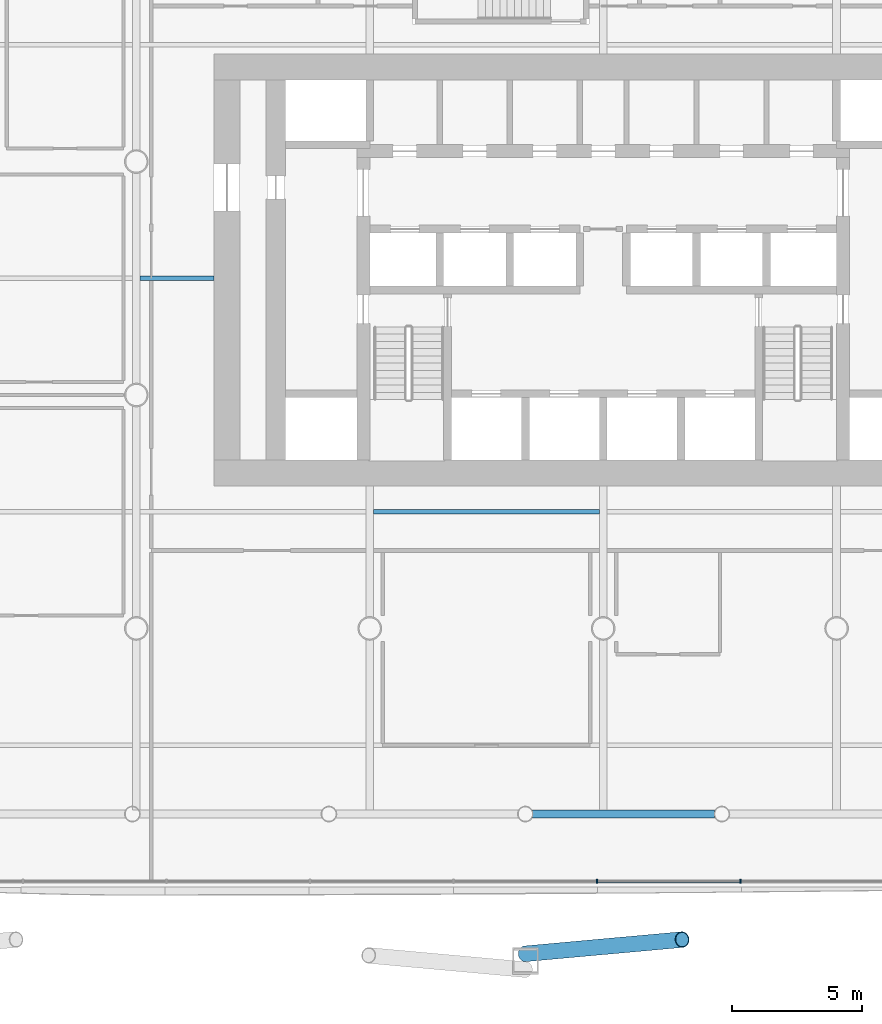
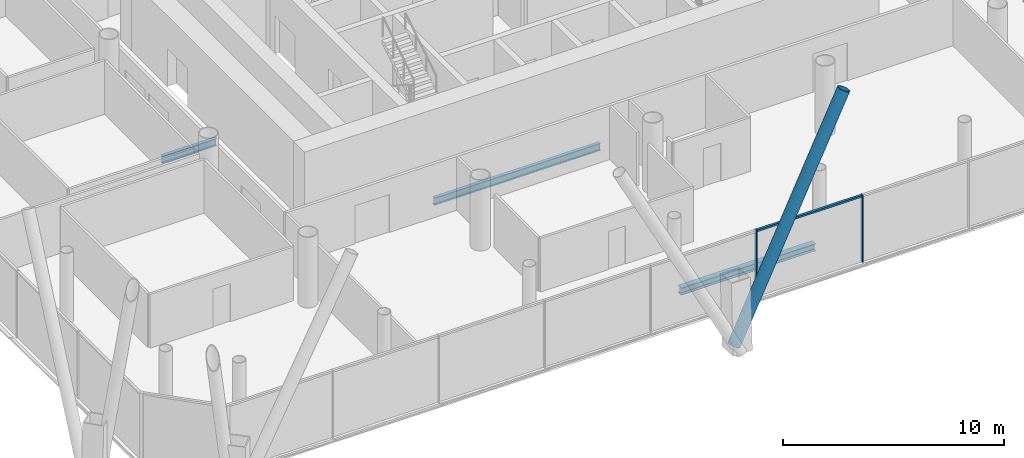
# One storey, part 6 of 25: 4 members, 3 beams, 1 element without a shape of its own.
"""IFC4 building model written with IfcOpenShell, lengths in metres."""

from ifc_helpers import new_model, si_unit, direction, frame, origin, origin_2d, place, context, subcontext, project, spatial, rectangle, hollow_circle, i_section, extrude, material, material_profile, profile_set, type_object, element, aggregate, save


model = new_model("IFC4")

# Units and contexts
model_context = context("Model", 3, precision=1e-05, world=origin(), true_north=direction((0.0, 1.0)))
body_context = subcontext(model_context, "Body", "Model", "MODEL_VIEW")
ifc_project = project(units=[si_unit("LENGTHUNIT", "METRE"), si_unit("AREAUNIT", "SQUARE_METRE"), si_unit("VOLUMEUNIT", "CUBIC_METRE"), si_unit("PLANEANGLEUNIT", "RADIAN"), si_unit("MASSUNIT", "GRAM", prefix="KILO")], contexts=[model_context])

# Site, building, storey
site_placement = place(None, origin())
site = spatial("IfcSite", under=ifc_project, at=site_placement, CompositionType="ELEMENT")
building_placement = place(site_placement, origin())
building = spatial("IfcBuilding", under=site, at=building_placement, Name="Tskaro Facet Tower", CompositionType="ELEMENT")
storey_placement = place(building_placement, frame((0.0, 0.0, 10.800048828125)))
storey = spatial("IfcBuildingStorey", under=building, at=storey_placement, Name="L01", CompositionType="ELEMENT", Elevation=10.800048828125)

# Member
ifc_material_1 = material(Name="Steel S355J2H", Category="steel")
ifc_material_profile_1 = material_profile(ifc_material_1, hollow_circle(Radius=0.304931640625, WallThickness=0.030029296875, at=origin_2d()), Name="CHS 610x30")
ifc_profile_set_1 = profile_set([ifc_material_profile_1], Name="Steel S355J2H")
member_type_1 = type_object("IfcMemberType", Name="CHS 610x30 brace", PredefinedType="BRACE", material=ifc_profile_set_1)
member_1_placement = place(storey_placement, frame((-3.0, -30.544921875, 0.0), z_axis=(0.458620557373, 0.041546280702, 0.887660459249), x_axis=(-0.090220221622, 0.995921840111, 0.0)))
element("IfcMember", 1, at=member_1_placement, inside=storey, type_object=member_type_1, Name="CHS 610x30 XB02A/1", PredefinedType="BRACE", context=body_context, shape_type="SweptSolid", body=[
    extrude(hollow_circle(Radius=0.304931640625, WallThickness=0.030029296875, at=origin_2d()), origin(), (0.0, 0.0, 1.0), 13.1806640625),
])

# Curtain wall, members
ifc_material_2 = material(Name="Bronze anodised aluminium 6063-T6", Category="aluminium")
curtain_wall_type = type_object("IfcCurtainWallType", Name="Bronze office curtain wall (FW1)", PredefinedType="NOTDEFINED", material=ifc_material_2)
curtain_wall_placement = place(storey_placement, origin())
curtain_wall = element("IfcCurtainWall", 2, at=curtain_wall_placement, inside=storey, type_object=curtain_wall_type, Name="FW1 south facet L01", PredefinedType="NOTDEFINED")
ifc_material_profile_2 = material_profile(ifc_material_2, rectangle(XDim=0.06005859375, YDim=0.159912109375, at=origin_2d()), Name="Mullion 60x160")
ifc_profile_set_2 = profile_set([ifc_material_profile_2], Name="Bronze anodised aluminium 6063-T6")
member_type_2 = type_object("IfcMemberType", Name="FW1 bronze mullion 60x160", PredefinedType="MULLION", material=ifc_profile_set_2)
member_2_placement = place(storey_placement, frame((-0.23388671875, -27.75, 0.0), z_axis=(0.0, 0.0, 1.0), x_axis=(1.0, 0.0, 0.0)))
member_2 = element("IfcMember", 3, at=member_2_placement, type_object=member_type_2, Name="FW1 south mullion 5", PredefinedType="MULLION", context=body_context, shape_type="SweptSolid", body=[
    extrude(rectangle(XDim=0.06005859375, YDim=0.159912109375, at=origin_2d()), origin(), (0.0, 0.0, 1.0), 3.699951171875),
])
member_3_placement = place(storey_placement, frame((5.298583984375, -27.75, 0.0), z_axis=(0.0, 0.0, 1.0), x_axis=(1.0, 0.0, 0.0)))
member_3 = element("IfcMember", 4, at=member_3_placement, type_object=member_type_2, Name="FW1 south mullion 6", PredefinedType="MULLION", context=body_context, shape_type="SweptSolid", body=[
    extrude(rectangle(XDim=0.06005859375, YDim=0.159912109375, at=origin_2d()), origin(), (0.0, 0.0, 1.0), 3.699951171875),
])
ifc_material_profile_3 = material_profile(ifc_material_2, rectangle(XDim=0.1201171875, YDim=0.10009765625, at=origin_2d()), Name="Transom 120x100")
ifc_profile_set_3 = profile_set([ifc_material_profile_3], Name="Bronze anodised aluminium 6063-T6")
member_type_3 = type_object("IfcMemberType", Name="FW1 bronze transom 120x100", PredefinedType="USERDEFINED", material=ifc_profile_set_3)
member_4_placement = place(storey_placement, frame((-0.203857421875, -27.75, 3.64990234375), z_axis=(1.0, 0.0, 0.0), x_axis=(0.0, 1.0, 0.0)))
member_4 = element("IfcMember", 5, at=member_4_placement, type_object=member_type_3, Name="FW1 south transom 6.1", ObjectType="TRANSOM", PredefinedType="USERDEFINED", context=body_context, shape_type="SweptSolid", body=[
    extrude(rectangle(XDim=0.1201171875, YDim=0.10009765625, at=origin_2d()), origin(), (0.0, 0.0, 1.0), 5.472412109375),
])
aggregate(curtain_wall, [member_2, member_3, member_4])

# Beams
ifc_material_3 = material(Name="Steel S355J2", Category="steel")
ifc_material_profile_4 = material_profile(ifc_material_3, i_section(OverallWidth=0.300048828125, OverallDepth=0.39990234375, WebThickness=0.013427734375, FlangeThickness=0.02392578125, FilletRadius=0.027099609375, at=origin_2d()), Name="HE 400 B")
ifc_profile_set_4 = profile_set([ifc_material_profile_4], Name="Steel S355J2")
beam_type_1 = type_object("IfcBeamType", Name="HE 400 B ring beam", PredefinedType="BEAM", material=ifc_profile_set_4)
beam_1_placement = place(storey_placement, frame((-2.72509765625, -25.156982421875, -0.340087890625), z_axis=(1.0, 0.0, 0.0), x_axis=(0.0, 1.0, 0.0)))
element("IfcBeam", 6, at=beam_1_placement, inside=storey, type_object=beam_type_1, Name="HE 400 B EB4-1", PredefinedType="BEAM", context=body_context, shape_type="SweptSolid", body=[
    extrude(i_section(OverallWidth=0.300048828125, OverallDepth=0.39990234375, WebThickness=0.013427734375, FlangeThickness=0.02392578125, FilletRadius=0.027099609375, at=origin_2d()), origin(), (0.0, 0.0, 1.0), 7.026123046875),
])
ifc_material_profile_5 = material_profile(ifc_material_3, i_section(OverallWidth=0.179931640625, OverallDepth=0.39990234375, WebThickness=0.008544921875, FlangeThickness=0.013427734375, FilletRadius=0.02099609375, at=origin_2d()), Name="IPE 400")
ifc_profile_set_5 = profile_set([ifc_material_profile_5], Name="Steel S355J2")
beam_type_2 = type_object("IfcBeamType", Name="IPE 400 secondary beam", PredefinedType="BEAM", material=ifc_profile_set_5)
beam_2_placement = place(storey_placement, frame((-8.85009765625, -13.5, -0.340087890625), z_axis=(1.0, 0.0, 0.0), x_axis=(0.0, 1.0, 0.0)))
element("IfcBeam", 7, at=beam_2_placement, inside=storey, type_object=beam_type_2, Name="IPE 400 SB2a-3-1", PredefinedType="BEAM", context=body_context, shape_type="SweptSolid", body=[
    extrude(i_section(OverallWidth=0.179931640625, OverallDepth=0.39990234375, WebThickness=0.008544921875, FlangeThickness=0.013427734375, FilletRadius=0.02099609375, at=origin_2d()), origin(), (0.0, 0.0, 1.0), 8.7001953125),
])
beam_3_placement = place(storey_placement, frame((-17.85009765625, -4.5, -0.340087890625), z_axis=(1.0, 0.0, 0.0), x_axis=(0.0, 1.0, 0.0)))
element("IfcBeam", 8, at=beam_3_placement, inside=storey, type_object=beam_type_2, Name="IPE 400 SB3a-2-1", PredefinedType="BEAM", context=body_context, shape_type="SweptSolid", body=[
    extrude(i_section(OverallWidth=0.179931640625, OverallDepth=0.39990234375, WebThickness=0.008544921875, FlangeThickness=0.013427734375, FilletRadius=0.02099609375, at=origin_2d()), origin(), (0.0, 0.0, 1.0), 2.85009765625),
])

save(model, "model.ifc")
